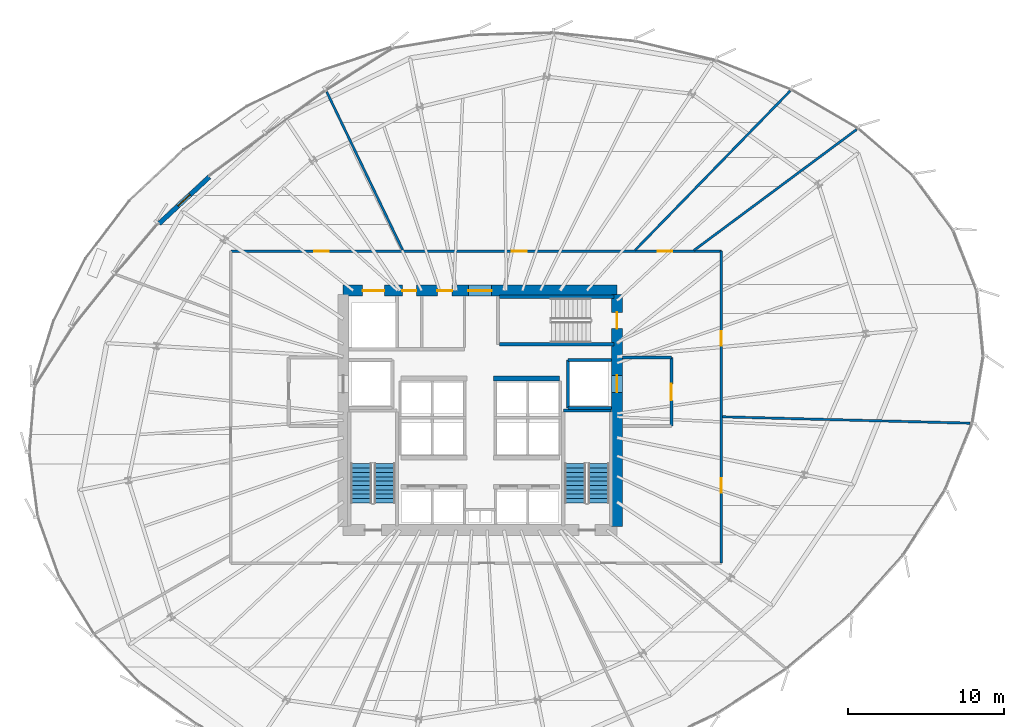
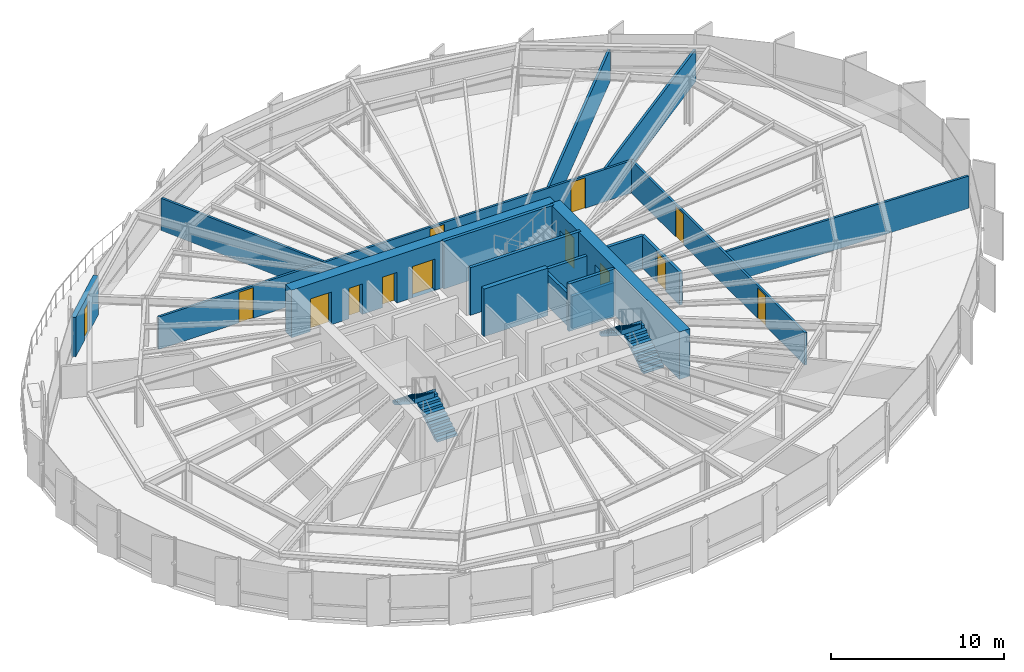
# One storey, part 30 of 35: 18 walls, 13 doors, 4 stair flights, 13 openings, 2 elements without a shape of their own.
"""IFC4 building model written with IfcOpenShell, lengths in metres."""

from ifc_helpers import new_model, si_unit, direction, frame, frame_2d, origin, place, context, subcontext, project, spatial, polyline, rectangle, outline, extrude, source, transform, mapped, material, layer, layer_set, type_object, element, fill, aggregate, save


model = new_model("IFC4")

# Units and contexts
model_context = context("Model", 3, precision=1e-05, world=origin(), true_north=direction((0.0, 1.0)))
body_context = subcontext(model_context, "Body", "Model", "MODEL_VIEW")
ifc_project = project(units=[si_unit("LENGTHUNIT", "METRE"), si_unit("AREAUNIT", "SQUARE_METRE"), si_unit("VOLUMEUNIT", "CUBIC_METRE"), si_unit("PLANEANGLEUNIT", "RADIAN"), si_unit("MASSUNIT", "GRAM", prefix="KILO"), si_unit("THERMODYNAMICTEMPERATUREUNIT", "KELVIN")], contexts=[model_context])

# Site, building, storey
site_placement = place(None, origin())
site = spatial("IfcSite", under=ifc_project, at=site_placement, CompositionType="ELEMENT")
building_placement = place(site_placement, origin())
building = spatial("IfcBuilding", under=site, at=building_placement, Name="Kethvar Cultural Tower", CompositionType="ELEMENT")
storey_placement = place(building_placement, frame((0.0, 0.0, 89.199951171875)))
storey = spatial("IfcBuildingStorey", under=building, at=storey_placement, Name="L21", CompositionType="ELEMENT", Elevation=89.199951171875)

# Wall, openings, doors
ifc_material_1 = material(Name="Concrete C60/75", Category="concrete")
ifc_layer_1 = layer(ifc_material_1, 0.699951171875, Name="Concrete C60/75", Category="concrete")
ifc_layer_set_1 = layer_set([ifc_layer_1], Name="Concrete C60/75 (700 mm)")
wall_type_1 = type_object("IfcWallType", Name="WL-CORE-700", PredefinedType="SHEAR", material=ifc_layer_set_1)
wall_1_placement = place(storey_placement, frame((55.60009765625, 35.5, 0.0), z_axis=(0.0, 0.0, 1.0), x_axis=(-1.0, 0.0, 0.0)))
wall_1 = element("IfcWall", 1, at=wall_1_placement, inside=storey, type_object=wall_type_1, Name="L21 Core Shear Wall N", PredefinedType="SHEAR", context=body_context, shape_type="SweptSolid", body=[
    extrude(rectangle(XDim=17.60009765625, YDim=0.699951171875, at=frame_2d((8.800048828125, 0.0))), origin(), (0.0, 0.0, 1.0), 3.35009765625),
])
opening_1_placement = place(wall_1_placement, frame((8.050048828125, 0.0, 0.0)))
opening_1 = element("IfcOpeningElement", 2, at=opening_1_placement, cuts=wall_1, Name="Opening D-L21-LN", PredefinedType="OPENING", context=body_context, shape_type="SweptSolid", body=[
    extrude(rectangle(XDim=1.5, YDim=2.199951171875, at=frame_2d((0.75, 1.10009765625))), frame((0.0, 0.35986328125, 0.0), z_axis=(0.0, -1.0, 0.0), x_axis=(1.0, 0.0, 0.0)), (0.0, 0.0, 1.0), 0.719970703125),
])
opening_2_placement = place(wall_1_placement, frame((14.949951171875, 0.0, 0.0)))
opening_2 = element("IfcOpeningElement", 3, at=opening_2_placement, cuts=wall_1, Name="Opening LD-G1", PredefinedType="OPENING", context=body_context, shape_type="SweptSolid", body=[
    extrude(rectangle(XDim=1.39990234375, YDim=2.300048828125, at=frame_2d((0.699951171875, 1.14990234375))), frame((0.0, 0.35986328125, 0.0), z_axis=(0.0, -1.0, 0.0), x_axis=(1.0, 0.0, 0.0)), (0.0, 0.0, 1.0), 0.719970703125),
])
opening_3_placement = place(wall_1_placement, frame((12.89990234375, 0.0, 0.0)))
opening_3 = element("IfcOpeningElement", 4, at=opening_3_placement, cuts=wall_1, Name="Opening D-L21-W1", PredefinedType="OPENING", context=body_context, shape_type="SweptSolid", body=[
    extrude(rectangle(XDim=0.89990234375, YDim=2.14990234375, at=frame_2d((0.449951171875, 1.074951171875))), frame((0.0, 0.35986328125, 0.0), z_axis=(0.0, -1.0, 0.0), x_axis=(1.0, 0.0, 0.0)), (0.0, 0.0, 1.0), 0.719970703125),
])
opening_4_placement = place(wall_1_placement, frame((10.60009765625, 0.0, 0.0)))
opening_4 = element("IfcOpeningElement", 5, at=opening_4_placement, cuts=wall_1, Name="Opening D-L21-W2", PredefinedType="OPENING", context=body_context, shape_type="SweptSolid", body=[
    extrude(rectangle(XDim=0.949951171875, YDim=2.14990234375, at=frame_2d((0.47509765625, 1.074951171875))), frame((0.0, 0.35986328125, 0.0), z_axis=(0.0, -1.0, 0.0), x_axis=(1.0, 0.0, 0.0)), (0.0, 0.0, 1.0), 0.719970703125),
])
ifc_material_2 = material(Name="Architectural Oak Timber", Category="wood")
door_type_1 = type_object("IfcDoorType", Name="DR-DBL-FD60-1500", OperationType="DOUBLE_DOOR_SINGLE_SWING", PredefinedType="DOOR", material=ifc_material_2)
shared_shape_1 = source(origin(), body_context, "Body", "SweptSolid", [
    extrude(rectangle(XDim=1.5, YDim=2.199951171875, at=frame_2d((0.75, 1.10009765625))), frame((0.0, 0.02490234375, 0.0), z_axis=(0.0, -1.0, 0.0), x_axis=(1.0, 0.0, 0.0)), (0.0, 0.0, 1.0), 0.050048828125),
])
door_1_placement = place(opening_1_placement, origin())
door_1 = element("IfcDoor", 6, at=door_1_placement, inside=storey, type_object=door_type_1, Name="L21 Lift Lobby Concourse Door", OperationType="DOUBLE_DOOR_SINGLE_SWING", OverallHeight=2.199951171875, OverallWidth=1.5, PredefinedType="DOOR", context=body_context, shape_type="MappedRepresentation", body=[
    mapped(shared_shape_1, transform((0.0, 0.0, 0.0), scale=1.0)),
])
fill(opening_1, door_1)
ifc_material_3 = material(Name="Steel S355J2", Category="steel")
door_type_2 = type_object("IfcDoorType", Name="DR-LIFT-SLIDE-1400", OperationType="NOTDEFINED", PredefinedType="DOOR", material=ifc_material_3)
shared_shape_2 = source(origin(), body_context, "Body", "SweptSolid", [
    extrude(rectangle(XDim=1.39990234375, YDim=2.300048828125, at=frame_2d((0.699951171875, 1.14990234375))), frame((0.0, 0.02490234375, 0.0), z_axis=(0.0, -1.0, 0.0), x_axis=(1.0, 0.0, 0.0)), (0.0, 0.0, 1.0), 0.050048828125),
])
door_2_placement = place(opening_2_placement, origin())
door_2 = element("IfcDoor", 7, at=door_2_placement, inside=storey, type_object=door_type_2, Name="L21 Goods Lift Landing Door", OperationType="SLIDING_TO_RIGHT", OverallHeight=2.300048828125, OverallWidth=1.39990234375, PredefinedType="DOOR", context=body_context, shape_type="MappedRepresentation", body=[
    mapped(shared_shape_2, transform((0.0, 0.0, 0.0), scale=1.0)),
])
fill(opening_2, door_2)
door_type_3 = type_object("IfcDoorType", Name="DR-FD30-950", OperationType="NOTDEFINED", PredefinedType="DOOR", material=ifc_material_2)
shared_shape_3 = source(origin(), body_context, "Body", "SweptSolid", [
    extrude(rectangle(XDim=0.949951171875, YDim=2.14990234375, at=frame_2d((0.47509765625, 1.074951171875))), frame((0.0, 0.02490234375, 0.0), z_axis=(0.0, -1.0, 0.0), x_axis=(1.0, 0.0, 0.0)), (0.0, 0.0, 1.0), 0.050048828125),
])
door_3_placement = place(opening_4_placement, origin())
door_3 = element("IfcDoor", 8, at=door_3_placement, inside=storey, type_object=door_type_3, Name="L21 Public Washroom Door", OperationType="SINGLE_SWING_RIGHT", OverallHeight=2.14990234375, OverallWidth=0.949951171875, PredefinedType="DOOR", context=body_context, shape_type="MappedRepresentation", body=[
    mapped(shared_shape_3, transform((0.0, 0.0, 0.0), scale=1.0)),
])
fill(opening_4, door_3)
door_type_4 = type_object("IfcDoorType", Name="DR-FD30-900", OperationType="NOTDEFINED", PredefinedType="DOOR", material=ifc_material_2)
shared_shape_4 = source(origin(), body_context, "Body", "SweptSolid", [
    extrude(rectangle(XDim=0.89990234375, YDim=2.14990234375, at=frame_2d((0.449951171875, 1.074951171875))), frame((0.0, 0.02490234375, 0.0), z_axis=(0.0, -1.0, 0.0), x_axis=(1.0, 0.0, 0.0)), (0.0, 0.0, 1.0), 0.050048828125),
])
door_4_placement = place(opening_3_placement, origin())
door_4 = element("IfcDoor", 9, at=door_4_placement, inside=storey, type_object=door_type_4, Name="L21 Accessible Washroom Door", OperationType="SINGLE_SWING_LEFT", OverallHeight=2.14990234375, OverallWidth=0.89990234375, PredefinedType="DOOR", context=body_context, shape_type="MappedRepresentation", body=[
    mapped(shared_shape_4, transform((0.0, 0.0, 0.0), scale=1.0)),
])
fill(opening_3, door_4)

wall_2_placement = place(storey_placement, frame((55.60009765625, 20.340087890625, 0.0), z_axis=(0.0, 0.0, 1.0), x_axis=(0.0, 1.0, 0.0)))
wall_2 = element("IfcWall", 10, at=wall_2_placement, inside=storey, type_object=wall_type_1, Name="L21 Core Shear Wall E", PredefinedType="SHEAR", context=body_context, shape_type="SweptSolid", body=[
    extrude(rectangle(XDim=14.919921875, YDim=0.699951171875, at=frame_2d((7.4599609375, 0.0))), origin(), (0.0, 0.0, 1.0), 3.35009765625),
])
opening_5_placement = place(wall_2_placement, frame((12.7099609375, 0.0, 0.0)))
opening_5 = element("IfcOpeningElement", 11, at=opening_5_placement, cuts=wall_2, Name="Opening D-L21-S3", PredefinedType="OPENING", context=body_context, shape_type="SweptSolid", body=[
    extrude(rectangle(XDim=1.050048828125, YDim=2.14990234375, at=frame_2d((0.52490234375, 1.074951171875))), frame((0.0, 0.35986328125, 0.0), z_axis=(0.0, -1.0, 0.0), x_axis=(1.0, 0.0, 0.0)), (0.0, 0.0, 1.0), 0.719970703125),
])
opening_6_placement = place(wall_2_placement, frame((8.610107421875, 0.0, 0.0)))
opening_6 = element("IfcOpeningElement", 12, at=opening_6_placement, cuts=wall_2, Name="Opening LD-2", PredefinedType="OPENING", context=body_context, shape_type="SweptSolid", body=[
    extrude(rectangle(XDim=1.10009765625, YDim=2.199951171875, at=frame_2d((0.550048828125, 1.10009765625))), frame((0.0, 0.35986328125, 0.0), z_axis=(0.0, -1.0, 0.0), x_axis=(1.0, 0.0, 0.0)), (0.0, 0.0, 1.0), 0.719970703125),
])
door_type_5 = type_object("IfcDoorType", Name="DR-FD60-1050", OperationType="NOTDEFINED", PredefinedType="DOOR", material=ifc_material_3)
shared_shape_5 = source(origin(), body_context, "Body", "SweptSolid", [
    extrude(rectangle(XDim=1.050048828125, YDim=2.14990234375, at=frame_2d((0.52490234375, 1.074951171875))), frame((0.0, 0.02490234375, 0.0), z_axis=(0.0, -1.0, 0.0), x_axis=(1.0, 0.0, 0.0)), (0.0, 0.0, 1.0), 0.050048828125),
])
door_5_placement = place(opening_5_placement, origin())
door_5 = element("IfcDoor", 13, at=door_5_placement, inside=storey, type_object=door_type_5, Name="L21 Exit Stair 3 Door", OperationType="SINGLE_SWING_LEFT", OverallHeight=2.14990234375, OverallWidth=1.050048828125, PredefinedType="DOOR", context=body_context, shape_type="MappedRepresentation", body=[
    mapped(shared_shape_5, transform((0.0, 0.0, 0.0), scale=1.0)),
])
fill(opening_5, door_5)
door_type_6 = type_object("IfcDoorType", Name="DR-LIFT-SLIDE-1100", OperationType="NOTDEFINED", PredefinedType="DOOR", material=ifc_material_3)
shared_shape_6 = source(origin(), body_context, "Body", "SweptSolid", [
    extrude(rectangle(XDim=1.10009765625, YDim=2.199951171875, at=frame_2d((0.550048828125, 1.10009765625))), frame((0.0, 0.02490234375, 0.0), z_axis=(0.0, -1.0, 0.0), x_axis=(1.0, 0.0, 0.0)), (0.0, 0.0, 1.0), 0.050048828125),
])
door_6_placement = place(opening_6_placement, origin())
door_6 = element("IfcDoor", 14, at=door_6_placement, inside=storey, type_object=door_type_6, Name="L21 Firefighting Lift Landing Door FFL-02", OperationType="SLIDING_TO_RIGHT", OverallHeight=2.199951171875, OverallWidth=1.10009765625, PredefinedType="DOOR", context=body_context, shape_type="MappedRepresentation", body=[
    mapped(shared_shape_6, transform((0.0, 0.0, 0.0), scale=1.0)),
])
fill(opening_6, door_6)

# Wall, opening, door
ifc_material_4 = material(Name="Concrete C40/50", Category="concrete")
ifc_layer_2 = layer(ifc_material_4, 0.300048828125, Name="Concrete C40/50", Category="concrete")
ifc_layer_set_2 = layer_set([ifc_layer_2], Name="Concrete C40/50 (300 mm)")
wall_type_2 = type_object("IfcWallType", Name="WL-EXT-TER-300", PredefinedType="SOLIDWALL", material=ifc_layer_set_2)
wall_3_placement = place(storey_placement, frame((26.150390625, 39.802978515625, 0.0), z_axis=(0.0, 0.0, 1.0), x_axis=(0.732752217704, 0.680495545503, 0.0)))
wall_3 = element("IfcWall", 15, at=wall_3_placement, inside=storey, type_object=wall_type_2, Name="L21 Sky Terrace Access Wall", PredefinedType="SOLIDWALL", context=body_context, shape_type="SweptSolid", body=[
    extrude(rectangle(XDim=4.42431640625, YDim=0.300048828125, at=frame_2d((2.212158203125, 0.0))), origin(), (0.0, 0.0, 1.0), 2.775146484375),
])
opening_7_placement = place(wall_3_placement, frame((1.687255859375, 0.0, 0.0)))
opening_7 = element("IfcOpeningElement", 16, at=opening_7_placement, cuts=wall_3, Name="Opening D-L21-T1", PredefinedType="OPENING", context=body_context, shape_type="SweptSolid", body=[
    extrude(rectangle(XDim=1.050048828125, YDim=2.199951171875, at=frame_2d((0.52490234375, 1.10009765625))), frame((0.0, 0.159912109375, 0.0), z_axis=(0.0, -1.0, 0.0), x_axis=(1.0, 0.0, 0.0)), (0.0, 0.0, 1.0), 0.320068359375),
])
ifc_material_5 = material(Name="Aluminium 6063-T6", Category="aluminium")
door_type_7 = type_object("IfcDoorType", Name="DR-EXT-TER-1050", OperationType="NOTDEFINED", PredefinedType="DOOR", material=ifc_material_5)
shared_shape_7 = source(origin(), body_context, "Body", "SweptSolid", [
    extrude(rectangle(XDim=1.050048828125, YDim=2.199951171875, at=frame_2d((0.52490234375, 1.10009765625))), frame((0.0, 0.02490234375, 0.0), z_axis=(0.0, -1.0, 0.0), x_axis=(1.0, 0.0, 0.0)), (0.0, 0.0, 1.0), 0.050048828125),
])
door_7_placement = place(opening_7_placement, origin())
door_7 = element("IfcDoor", 17, at=door_7_placement, inside=storey, type_object=door_type_7, Name="L21 Sky Terrace Access Door D-L21-T1", OperationType="SINGLE_SWING_RIGHT", OverallHeight=2.199951171875, OverallWidth=1.050048828125, PredefinedType="DOOR", context=body_context, shape_type="MappedRepresentation", body=[
    mapped(shared_shape_7, transform((0.0, 0.0, 0.0), scale=1.0)),
])
fill(opening_7, door_7)

# Wall, openings, doors
ifc_material_6 = material(Name="Gypsum Fireboard Partition")
ifc_layer_3 = layer(ifc_material_6, 0.14990234375, Name="Gypsum Fireboard Partition")
ifc_layer_set_3 = layer_set([ifc_layer_3], Name="Gypsum Fireboard Partition (150 mm)")
wall_type_3 = type_object("IfcWallType", Name="WL-FIRE-150", PredefinedType="PARTITIONING", material=ifc_layer_set_3)
wall_4_placement = place(storey_placement, frame((62.31005859375, 17.97998046875, 0.0), z_axis=(0.0, 0.0, 1.0), x_axis=(0.0, 1.0, 0.0)))
wall_4 = element("IfcWall", 18, at=wall_4_placement, inside=storey, type_object=wall_type_3, Name="L21 Corridor Rated Wall E", PredefinedType="PARTITIONING", context=body_context, shape_type="SweptSolid", body=[
    extrude(rectangle(XDim=20.06005859375, YDim=0.14990234375, at=frame_2d((10.030029296875, 0.0))), origin(), (0.0, 0.0, 1.0), 2.280029296875),
])
opening_8_placement = place(wall_4_placement, frame((4.5185546875, 0.0, 0.0)))
opening_8 = element("IfcOpeningElement", 19, at=opening_8_placement, cuts=wall_4, Name="Opening D-L21-04", PredefinedType="OPENING", context=body_context, shape_type="SweptSolid", body=[
    extrude(rectangle(XDim=0.949951171875, YDim=2.14990234375, at=frame_2d((0.47509765625, 1.074951171875))), frame((0.0, 0.0849609375, 0.0), z_axis=(0.0, -1.0, 0.0), x_axis=(1.0, 0.0, 0.0)), (0.0, 0.0, 1.0), 0.169921875),
])
opening_9_placement = place(wall_4_placement, frame((13.96875, 0.0, 0.0)))
opening_9 = element("IfcOpeningElement", 20, at=opening_9_placement, cuts=wall_4, Name="Opening D-L21-05", PredefinedType="OPENING", context=body_context, shape_type="SweptSolid", body=[
    extrude(rectangle(XDim=0.949951171875, YDim=2.14990234375, at=frame_2d((0.47509765625, 1.074951171875))), frame((0.0, 0.0849609375, 0.0), z_axis=(0.0, -1.0, 0.0), x_axis=(1.0, 0.0, 0.0)), (0.0, 0.0, 1.0), 0.169921875),
])
door_8_placement = place(opening_8_placement, origin())
door_8 = element("IfcDoor", 21, at=door_8_placement, inside=storey, type_object=door_type_3, Name="L21 Policy Research Workspace 04 Door", OperationType="SINGLE_SWING_LEFT", OverallHeight=2.14990234375, OverallWidth=0.949951171875, PredefinedType="DOOR", context=body_context, shape_type="MappedRepresentation", body=[
    mapped(shared_shape_3, transform((0.0, 0.0, 0.0), scale=1.0)),
])
fill(opening_8, door_8)
door_9_placement = place(opening_9_placement, origin())
door_9 = element("IfcDoor", 22, at=door_9_placement, inside=storey, type_object=door_type_3, Name="L21 Fellows' Study Workspace 05 Door", OperationType="SINGLE_SWING_RIGHT", OverallHeight=2.14990234375, OverallWidth=0.949951171875, PredefinedType="DOOR", context=body_context, shape_type="MappedRepresentation", body=[
    mapped(shared_shape_3, transform((0.0, 0.0, 0.0), scale=1.0)),
])
fill(opening_9, door_9)

wall_5_placement = place(storey_placement, frame((62.31005859375, 38.0400390625, 0.0), z_axis=(0.0, 0.0, 1.0), x_axis=(-1.0, 0.0, 0.0)))
wall_5 = element("IfcWall", 23, at=wall_5_placement, inside=storey, type_object=wall_type_3, Name="L21 Corridor Rated Wall N", PredefinedType="PARTITIONING", context=body_context, shape_type="SweptSolid", body=[
    extrude(rectangle(XDim=31.5400390625, YDim=0.14990234375, at=frame_2d((15.77001953125, 0.0))), origin(), (0.0, 0.0, 1.0), 2.280029296875),
])
opening_10_placement = place(wall_5_placement, frame((3.14306640625, 0.0, 0.0)))
opening_10 = element("IfcOpeningElement", 24, at=opening_10_placement, cuts=wall_5, Name="Opening D-L21-06", PredefinedType="OPENING", context=body_context, shape_type="SweptSolid", body=[
    extrude(rectangle(XDim=0.949951171875, YDim=2.14990234375, at=frame_2d((0.47509765625, 1.074951171875))), frame((0.0, 0.0849609375, 0.0), z_axis=(0.0, -1.0, 0.0), x_axis=(1.0, 0.0, 0.0)), (0.0, 0.0, 1.0), 0.169921875),
])
opening_11_placement = place(wall_5_placement, frame((12.51171875, 0.0, 0.0)))
opening_11 = element("IfcOpeningElement", 25, at=opening_11_placement, cuts=wall_5, Name="Opening D-L21-07", PredefinedType="OPENING", context=body_context, shape_type="SweptSolid", body=[
    extrude(rectangle(XDim=0.949951171875, YDim=2.14990234375, at=frame_2d((0.47509765625, 1.074951171875))), frame((0.0, 0.0849609375, 0.0), z_axis=(0.0, -1.0, 0.0), x_axis=(1.0, 0.0, 0.0)), (0.0, 0.0, 1.0), 0.169921875),
])
opening_12_placement = place(wall_5_placement, frame((25.230712890625, 0.0, 0.0)))
opening_12 = element("IfcOpeningElement", 26, at=opening_12_placement, cuts=wall_5, Name="Opening D-L21-08", PredefinedType="OPENING", context=body_context, shape_type="SweptSolid", body=[
    extrude(rectangle(XDim=0.949951171875, YDim=2.14990234375, at=frame_2d((0.47509765625, 1.074951171875))), frame((0.0, 0.0849609375, 0.0), z_axis=(0.0, -1.0, 0.0), x_axis=(1.0, 0.0, 0.0)), (0.0, 0.0, 1.0), 0.169921875),
])
door_10_placement = place(opening_10_placement, origin())
door_10 = element("IfcDoor", 27, at=door_10_placement, inside=storey, type_object=door_type_3, Name="L21 Decorative Arts Craft Workshop 06 Door", OperationType="SINGLE_SWING_LEFT", OverallHeight=2.14990234375, OverallWidth=0.949951171875, PredefinedType="DOOR", context=body_context, shape_type="MappedRepresentation", body=[
    mapped(shared_shape_3, transform((0.0, 0.0, 0.0), scale=1.0)),
])
fill(opening_10, door_10)
door_11_placement = place(opening_11_placement, origin())
door_11 = element("IfcDoor", 28, at=door_11_placement, inside=storey, type_object=door_type_3, Name="L21 Members' Refreshment Kitchenette 07 Door", OperationType="SINGLE_SWING_RIGHT", OverallHeight=2.14990234375, OverallWidth=0.949951171875, PredefinedType="DOOR", context=body_context, shape_type="MappedRepresentation", body=[
    mapped(shared_shape_3, transform((0.0, 0.0, 0.0), scale=1.0)),
])
fill(opening_11, door_11)
door_12_placement = place(opening_12_placement, origin())
door_12 = element("IfcDoor", 29, at=door_12_placement, inside=storey, type_object=door_type_3, Name="L21 Design Review Boardroom 08 Door", OperationType="SINGLE_SWING_LEFT", OverallHeight=2.14990234375, OverallWidth=0.949951171875, PredefinedType="DOOR", context=body_context, shape_type="MappedRepresentation", body=[
    mapped(shared_shape_3, transform((0.0, 0.0, 0.0), scale=1.0)),
])
fill(opening_12, door_12)

# Walls
ifc_layer_4 = layer(ifc_material_4, 0.199951171875, Name="Concrete C40/50", Category="concrete")
ifc_layer_set_4 = layer_set([ifc_layer_4], Name="Concrete C40/50 (200 mm)")
wall_type_4 = type_object("IfcWallType", Name="WL-FIRE-200", PredefinedType="PARTITIONING", material=ifc_layer_set_4)
wall_6_placement = place(storey_placement, frame((52.449951171875, 27.949951171875, 0.0), z_axis=(0.0, 0.0, 1.0), x_axis=(0.0, 1.0, 0.0)))
element("IfcWall", 30, at=wall_6_placement, inside=storey, type_object=wall_type_4, Name="L21 FFL-02 Shaft Inner Wall", PredefinedType="PARTITIONING", context=body_context, shape_type="SweptSolid", body=[
    extrude(rectangle(XDim=3.10009765625, YDim=0.199951171875, at=frame_2d((1.550048828125, 0.0))), origin(), (0.0, 0.0, 1.0), 2.280029296875),
])
for number, where, z_axis, x_axis, name in (
    (31, (52.449951171875, 27.949951171875, 0.0), (0.0, 0.0, 1.0), (1.0, 0.0, 0.0), "L21 FFL-02 Shaft South Wall"),
    (32, (52.449951171875, 31.050048828125, 0.0), (0.0, 0.0, 1.0), (1.0, 0.0, 0.0), "L21 FFL-02 Shaft North Wall"),
):
    element("IfcWall", number, at=place(storey_placement, frame(where, z_axis=z_axis, x_axis=x_axis)), inside=storey, type_object=wall_type_4, Name=name, PredefinedType="PARTITIONING", context=body_context, shape_type="SweptSolid", body=[
        extrude(rectangle(XDim=2.7900390625, YDim=0.199951171875, at=frame_2d((1.39501953125, 0.0))), origin(), (0.0, 0.0, 1.0), 2.280029296875),
    ])

# Wall, opening, door
wall_7_placement = place(storey_placement, frame((59.10009765625, 26.800048828125, 0.0), z_axis=(0.0, 0.0, 1.0), x_axis=(0.0, 1.0, 0.0)))
wall_7 = element("IfcWall", 33, at=wall_7_placement, inside=storey, type_object=wall_type_4, Name="L21 Firefighting Lobby 2 Wall", PredefinedType="PARTITIONING", context=body_context, shape_type="SweptSolid", body=[
    extrude(rectangle(XDim=4.39990234375, YDim=0.199951171875, at=frame_2d((2.199951171875, 0.0))), origin(), (0.0, 0.0, 1.0), 2.280029296875),
])
opening_13_placement = place(wall_7_placement, frame((1.64990234375, 0.0, 0.0)))
opening_13 = element("IfcOpeningElement", 34, at=opening_13_placement, cuts=wall_7, Name="Opening D-L21-F2", PredefinedType="OPENING", context=body_context, shape_type="SweptSolid", body=[
    extrude(rectangle(XDim=1.050048828125, YDim=2.14990234375, at=frame_2d((0.52490234375, 1.074951171875))), frame((0.0, 0.10986328125, 0.0), z_axis=(0.0, -1.0, 0.0), x_axis=(1.0, 0.0, 0.0)), (0.0, 0.0, 1.0), 0.219970703125),
])
door_13_placement = place(opening_13_placement, origin())
door_13 = element("IfcDoor", 35, at=door_13_placement, inside=storey, type_object=door_type_5, Name="L21 Firefighting Lobby 2 Fire Door", OperationType="SINGLE_SWING_LEFT", OverallHeight=2.14990234375, OverallWidth=1.050048828125, PredefinedType="DOOR", context=body_context, shape_type="MappedRepresentation", body=[
    mapped(shared_shape_5, transform((0.0, 0.0, 0.0), scale=1.0)),
])
fill(opening_13, door_13)

# Walls
wall_8_placement = place(storey_placement, frame((55.9599609375, 31.199951171875, 0.0), z_axis=(0.0, 0.0, 1.0), x_axis=(1.0, 0.0, 0.0)))
element("IfcWall", 36, at=wall_8_placement, inside=storey, type_object=wall_type_4, Name="L21 FF Lobby 2 North Wall", PredefinedType="PARTITIONING", context=body_context, shape_type="SweptSolid", body=[
    extrude(rectangle(XDim=3.14013671875, YDim=0.199951171875, at=frame_2d((1.570068359375, 0.0))), origin(), (0.0, 0.0, 1.0), 2.280029296875),
])
ifc_material_7 = material(Name="Gypsum Acoustic Partition")
ifc_layer_5 = layer(ifc_material_7, 0.14990234375, Name="Gypsum Acoustic Partition")
ifc_layer_set_5 = layer_set([ifc_layer_5], Name="Gypsum Acoustic Partition (150 mm)")
wall_type_5 = type_object("IfcWallType", Name="WL-PART-150", PredefinedType="PARTITIONING", material=ifc_layer_set_5)
wall_9_placement = place(storey_placement, frame((62.389892578125, 27.385498046875, 0.0), z_axis=(0.0, 0.0, 1.0), x_axis=(0.999671742938, -0.025620428796, 0.0)))
element("IfcWall", 37, at=wall_9_placement, inside=storey, type_object=wall_type_5, Name="L21 Radial Partition Wall 05", PredefinedType="PARTITIONING", context=body_context, shape_type="SweptSolid", body=[
    extrude(rectangle(XDim=15.9326171875, YDim=0.14990234375, at=frame_2d((7.96630859375, 0.0))), origin(), (0.0, 0.0, 1.0), 2.280029296875),
])
wall_10_placement = place(storey_placement, frame((60.551025390625, 38.087646484375, 0.0), z_axis=(0.0, 0.0, 1.0), x_axis=(0.802739746864, 0.596329521997, 0.0)))
element("IfcWall", 38, at=wall_10_placement, inside=storey, type_object=wall_type_5, Name="L21 Radial Partition Wall 06", PredefinedType="PARTITIONING", context=body_context, shape_type="SweptSolid", body=[
    extrude(rectangle(XDim=13.02734375, YDim=0.14990234375, at=frame_2d((6.513671875, 0.0))), origin(), (0.0, 0.0, 1.0), 2.280029296875),
])
wall_11_placement = place(storey_placement, frame((56.76513671875, 38.097412109375, 0.0), z_axis=(0.0, 0.0, 1.0), x_axis=(0.697622683168, 0.716465345938, 0.0)))
element("IfcWall", 39, at=wall_11_placement, inside=storey, type_object=wall_type_5, Name="L21 Radial Partition Wall 07", PredefinedType="PARTITIONING", context=body_context, shape_type="SweptSolid", body=[
    extrude(rectangle(XDim=14.291259765625, YDim=0.14990234375, at=frame_2d((7.1455078125, 0.0))), origin(), (0.0, 0.0, 1.0), 2.280029296875),
])
wall_12_placement = place(storey_placement, frame((41.82421875, 38.112060546875, 0.0), z_axis=(0.0, 0.0, 1.0), x_axis=(-0.432973848558, 0.901406482373, 0.0)))
element("IfcWall", 40, at=wall_12_placement, inside=storey, type_object=wall_type_5, Name="L21 Radial Partition Wall 08", PredefinedType="PARTITIONING", context=body_context, shape_type="SweptSolid", body=[
    extrude(rectangle(XDim=11.27783203125, YDim=0.14990234375, at=frame_2d((5.638916015625, 0.0))), origin(), (0.0, 0.0, 1.0), 2.280029296875),
])
ifc_material_8 = material(Name="Concrete C50/60", Category="concrete")
ifc_layer_6 = layer(ifc_material_8, 0.300048828125, Name="Concrete C50/60", Category="concrete")
ifc_layer_set_6 = layer_set([ifc_layer_6], Name="Concrete C50/60 (300 mm)")
wall_type_6 = type_object("IfcWallType", Name="WL-SHAFT-300", PredefinedType="SHEAR", material=ifc_layer_set_6)
wall_13_placement = place(storey_placement, frame((47.64990234375, 29.85009765625, 0.0), z_axis=(0.0, 0.0, 1.0), x_axis=(1.0, 0.0, 0.0)))
element("IfcWall", 41, at=wall_13_placement, inside=storey, type_object=wall_type_6, Name="L21 Core Lift Spine Wall MID3E", PredefinedType="SHEAR", context=body_context, shape_type="SweptSolid", body=[
    extrude(rectangle(XDim=4.25, YDim=0.300048828125, at=frame_2d((2.125, 0.0))), origin(), (0.0, 0.0, 1.0), 3.35009765625),
])
ifc_layer_7 = layer(ifc_material_8, 0.199951171875, Name="Concrete C50/60", Category="concrete")
ifc_layer_set_7 = layer_set([ifc_layer_7], Name="Concrete C50/60 (200 mm)")
wall_type_7 = type_object("IfcWallType", Name="WL-STSHAFT-200", PredefinedType="SHEAR", material=ifc_layer_set_7)
wall_14_placement = place(storey_placement, frame((52.14990234375, 27.800048828125, 0.0), z_axis=(0.0, 0.0, 1.0), x_axis=(1.0, 0.0, 0.0)))
element("IfcWall", 42, at=wall_14_placement, inside=storey, type_object=wall_type_7, Name="L21 ST-02 Stair Shaft Wall FAR", PredefinedType="SHEAR", context=body_context, shape_type="SweptSolid", body=[
    extrude(rectangle(XDim=3.06005859375, YDim=0.199951171875, at=frame_2d((1.530029296875, 0.0))), origin(), (0.0, 0.0, 1.0), 3.35009765625),
])
for number, where, z_axis, x_axis, name in (
    (43, (48.050048828125, 35.110107421875, 0.0), (0.0, 0.0, 1.0), (1.0, 0.0, 0.0), "L21 ST-03 Stair Shaft Wall LEFT"),
    (44, (55.39990234375, 32.050048828125, 0.0), (0.0, 0.0, 1.0), (-1.0, 0.0, 0.0), "L21 ST-03 Stair Shaft Wall RIGHT"),
):
    element("IfcWall", number, at=place(storey_placement, frame(where, z_axis=z_axis, x_axis=x_axis)), inside=storey, type_object=wall_type_7, Name=name, PredefinedType="SHEAR", context=body_context, shape_type="SweptSolid", body=[
        extrude(rectangle(XDim=7.349853515625, YDim=0.199951171875, at=frame_2d((3.6748046875, 0.0))), origin(), (0.0, 0.0, 1.0), 3.35009765625),
    ])

# Stair, stair flights
stair_type = type_object("IfcStairType", Name="ST-DOGLEG-135", PredefinedType="HALF_TURN_STAIR", material=ifc_material_4)
stair_1_placement = place(storey_placement, origin())
stair_1 = element("IfcStair", 45, at=stair_1_placement, inside=storey, type_object=stair_type, Name="L21 Core Exit Stair 1", PredefinedType="HALF_TURN_STAIR")
stair_flight_type = type_object("IfcStairFlightType", Name="FL-STRAIGHT-135", PredefinedType="STRAIGHT", material=ifc_material_4)
stair_flight_1_placement = place(storey_placement, frame((40.675048828125, 21.85009765625, 0.0), z_axis=(0.0, 0.0, 1.0), x_axis=(0.0, 1.0, 0.0)))
stair_flight_1 = element("IfcStairFlight", 46, at=stair_flight_1_placement, type_object=stair_flight_type, Name="ST-01 flight 1", NumberOfRisers=10, NumberOfTreads=9, PredefinedType="STRAIGHT", RiserHeight=0.18, TreadLength=0.28, context=body_context, shape_type="SweptSolid", body=[
    extrude(outline(polyline([(-0.0009765625, -0.0009765625), (-0.0009765625, 0.179931640625), (0.280029296875, 0.179931640625), (0.280029296875, 0.360107421875), (0.56005859375, 0.360107421875), (0.56005859375, 0.5400390625), (0.840087890625, 0.5400390625), (0.840087890625, 0.719970703125), (1.1201171875, 0.719970703125), (1.1201171875, 0.89990234375), (1.39990234375, 0.89990234375), (1.39990234375, 1.080078125), (1.679931640625, 1.080078125), (1.679931640625, 1.260009765625), (1.9599609375, 1.260009765625), (1.9599609375, 1.43994140625), (2.239990234375, 1.43994140625), (2.239990234375, 1.6201171875), (2.52001953125, 1.6201171875), (2.52001953125, 1.800048828125), (2.52099609375, 1.800048828125), (2.52099609375, 1.44189453125), (0.277099609375, 0.0), (0.0, -0.0009765625), (-0.0009765625, -0.0009765625)])), frame((0.0, 0.675048828125, 0.0), z_axis=(0.0, -1.0, 0.0), x_axis=(1.0, 0.0, 0.0)), (0.0, 0.0, 1.0), 1.35009765625),
])
stair_flight_2_placement = place(storey_placement, frame((39.1650390625, 24.3701171875, 1.800048828125), z_axis=(0.0, 0.0, 1.0), x_axis=(0.0, -1.0, 0.0)))
stair_flight_2 = element("IfcStairFlight", 47, at=stair_flight_2_placement, type_object=stair_flight_type, Name="ST-01 flight 2", NumberOfRisers=10, NumberOfTreads=9, PredefinedType="STRAIGHT", RiserHeight=0.18, TreadLength=0.28, context=body_context, shape_type="SweptSolid", body=[
    extrude(outline(polyline([(-0.0009765625, -0.0009765625), (-0.0009765625, 0.179931640625), (0.280029296875, 0.179931640625), (0.280029296875, 0.360107421875), (0.56005859375, 0.360107421875), (0.56005859375, 0.5400390625), (0.840087890625, 0.5400390625), (0.840087890625, 0.719970703125), (1.1201171875, 0.719970703125), (1.1201171875, 0.89990234375), (1.39990234375, 0.89990234375), (1.39990234375, 1.080078125), (1.679931640625, 1.080078125), (1.679931640625, 1.260009765625), (1.9599609375, 1.260009765625), (1.9599609375, 1.43994140625), (2.239990234375, 1.43994140625), (2.239990234375, 1.6201171875), (2.52001953125, 1.6201171875), (2.52001953125, 1.800048828125), (2.52099609375, 1.800048828125), (2.52099609375, 1.44189453125), (0.277099609375, 0.0), (0.0, -0.0009765625), (-0.0009765625, -0.0009765625)])), frame((0.0, 0.675048828125, 0.0), z_axis=(0.0, -1.0, 0.0), x_axis=(1.0, 0.0, 0.0)), (0.0, 0.0, 1.0), 1.35009765625),
])
aggregate(stair_1, [stair_flight_1, stair_flight_2])

stair_2_placement = place(storey_placement, origin())
stair_2 = element("IfcStair", 48, at=stair_2_placement, inside=storey, type_object=stair_type, Name="L21 Core Exit Stair 2", PredefinedType="HALF_TURN_STAIR")
stair_flight_3_placement = place(storey_placement, frame((54.43505859375, 21.85009765625, 0.0), z_axis=(0.0, 0.0, 1.0), x_axis=(0.0, 1.0, 0.0)))
stair_flight_3 = element("IfcStairFlight", 49, at=stair_flight_3_placement, type_object=stair_flight_type, Name="ST-02 flight 1", NumberOfRisers=10, NumberOfTreads=9, PredefinedType="STRAIGHT", RiserHeight=0.18, TreadLength=0.28, context=body_context, shape_type="SweptSolid", body=[
    extrude(outline(polyline([(-0.0009765625, -0.0009765625), (-0.0009765625, 0.179931640625), (0.280029296875, 0.179931640625), (0.280029296875, 0.360107421875), (0.56005859375, 0.360107421875), (0.56005859375, 0.5400390625), (0.840087890625, 0.5400390625), (0.840087890625, 0.719970703125), (1.1201171875, 0.719970703125), (1.1201171875, 0.89990234375), (1.39990234375, 0.89990234375), (1.39990234375, 1.080078125), (1.679931640625, 1.080078125), (1.679931640625, 1.260009765625), (1.9599609375, 1.260009765625), (1.9599609375, 1.43994140625), (2.239990234375, 1.43994140625), (2.239990234375, 1.6201171875), (2.52001953125, 1.6201171875), (2.52001953125, 1.800048828125), (2.52099609375, 1.800048828125), (2.52099609375, 1.44189453125), (0.277099609375, 0.0), (0.0, -0.0009765625), (-0.0009765625, -0.0009765625)])), frame((0.0, 0.675048828125, 0.0), z_axis=(0.0, -1.0, 0.0), x_axis=(1.0, 0.0, 0.0)), (0.0, 0.0, 1.0), 1.35009765625),
])
stair_flight_4_placement = place(storey_placement, frame((52.925048828125, 24.3701171875, 1.800048828125), z_axis=(0.0, 0.0, 1.0), x_axis=(0.0, -1.0, 0.0)))
stair_flight_4 = element("IfcStairFlight", 50, at=stair_flight_4_placement, type_object=stair_flight_type, Name="ST-02 flight 2", NumberOfRisers=10, NumberOfTreads=9, PredefinedType="STRAIGHT", RiserHeight=0.18, TreadLength=0.28, context=body_context, shape_type="SweptSolid", body=[
    extrude(outline(polyline([(-0.0009765625, -0.0009765625), (-0.0009765625, 0.179931640625), (0.280029296875, 0.179931640625), (0.280029296875, 0.360107421875), (0.56005859375, 0.360107421875), (0.56005859375, 0.5400390625), (0.840087890625, 0.5400390625), (0.840087890625, 0.719970703125), (1.1201171875, 0.719970703125), (1.1201171875, 0.89990234375), (1.39990234375, 0.89990234375), (1.39990234375, 1.080078125), (1.679931640625, 1.080078125), (1.679931640625, 1.260009765625), (1.9599609375, 1.260009765625), (1.9599609375, 1.43994140625), (2.239990234375, 1.43994140625), (2.239990234375, 1.6201171875), (2.52001953125, 1.6201171875), (2.52001953125, 1.800048828125), (2.52099609375, 1.800048828125), (2.52099609375, 1.44189453125), (0.277099609375, 0.0), (0.0, -0.0009765625), (-0.0009765625, -0.0009765625)])), frame((0.0, 0.675048828125, 0.0), z_axis=(0.0, -1.0, 0.0), x_axis=(1.0, 0.0, 0.0)), (0.0, 0.0, 1.0), 1.35009765625),
])
aggregate(stair_2, [stair_flight_3, stair_flight_4])

save(model, "model.ifc")
